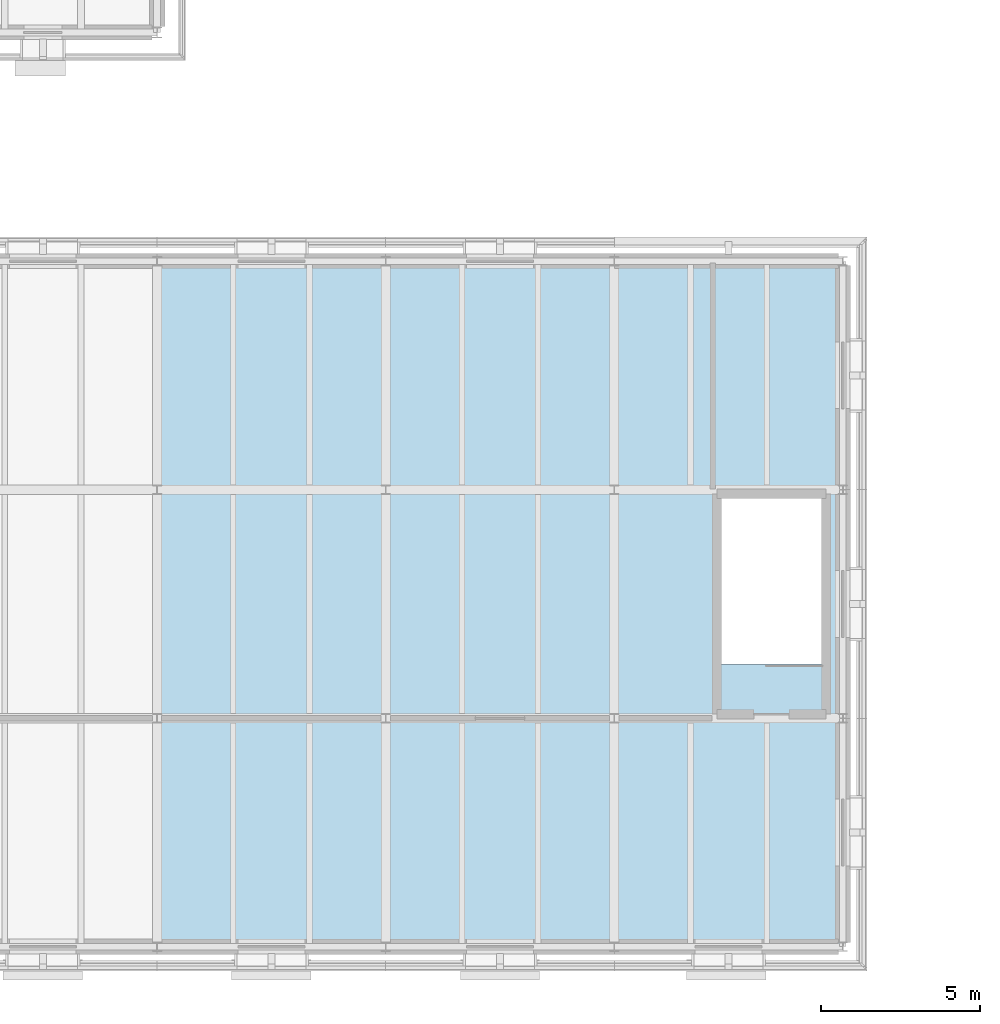
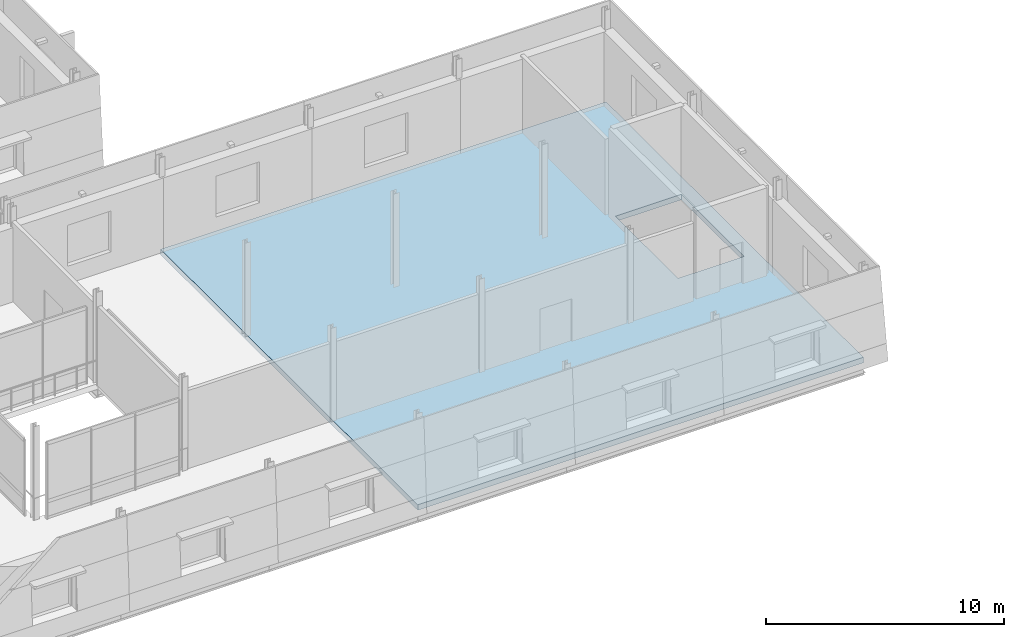
# One storey, part 52 of 121: 1 slab.
"""IFC4 building model written with IfcOpenShell, lengths in metres."""

import ifcopenshell
import ifcopenshell.guid

model = None  # the IFC model being written
_history = None  # IfcOwnerHistory: only IFC2X3 demands one
_inside = {}  # id of a spatial element -> (the spatial element, [elements in it])
_under = {}  # id of a project, library or spatial element -> (it, [spatial elements below it])
_declared = {}  # id of a project -> (the project, [libraries it declares])
_typed = {}  # id of a type object -> (the type object, [elements of that type])
_made_of = {}  # id of a material, layer set ... -> (it, [elements and type objects made of it])


def new_model(schema):
    """Start an empty IFC model of exactly this schema.

    Asked for "IFC4X3", IfcOpenShell would pick the latest addendum, in which some entities
    have other attributes; the version numbers below select the first issue.
    IFC2X3 requires an IfcOwnerHistory on every rooted entity: one is made here for all.
    """
    global model, _history
    if schema == "IFC4X3":
        model = ifcopenshell.file(schema_version=(4, 3, 0, 0))
    else:
        model = ifcopenshell.file(schema=schema)
    _inside.clear()
    _under.clear()
    _declared.clear()
    _typed.clear()
    _made_of.clear()
    _history = None
    if model.schema == "IFC2X3":
        org = make("IfcOrganization", Name="unknown")
        user = make(
            "IfcPersonAndOrganization",
            ThePerson=make("IfcPerson", FamilyName="unknown"),
            TheOrganization=org,
        )
        app = make(
            "IfcApplication",
            ApplicationDeveloper=org,
            Version="unknown",
            ApplicationFullName="unknown",
            ApplicationIdentifier="unknown",
        )
        _history = make(
            "IfcOwnerHistory",
            OwningUser=user,
            OwningApplication=app,
            ChangeAction="ADDED",
            CreationDate=0,
        )
    return model


def make(cls, **values):
    """One entity of the class cls with the attributes given. An attribute that is None is left unset."""
    return model.create_entity(
        cls, **{name: value for name, value in values.items() if value is not None}
    )


def rooted(cls, **values):
    """An entity with a GlobalId (a new one), such as an element, a storey or a relation."""
    return make(cls, GlobalId=ifcopenshell.guid.new(), OwnerHistory=_history, **values)


def si_unit(unit_type, name, prefix=None):
    """IfcSIUnit, for example si_unit("LENGTHUNIT", "METRE", prefix="MILLI")."""
    return make("IfcSIUnit", UnitType=unit_type, Prefix=prefix, Name=name)


def assignment(units):
    """IfcUnitAssignment: the units of a project."""
    return None if units is None else make("IfcUnitAssignment", Units=units)


def point(xyz):
    """IfcCartesianPoint."""
    return None if xyz is None else make("IfcCartesianPoint", Coordinates=xyz)


def direction(xyz):
    """IfcDirection."""
    return None if xyz is None else make("IfcDirection", DirectionRatios=xyz)


def frame(location, z_axis=None, x_axis=None):
    """IfcAxis2Placement3D, a coordinate frame: its origin and axes. An axis left out is left unset."""
    return make(
        "IfcAxis2Placement3D",
        Location=point(location),
        Axis=direction(z_axis),
        RefDirection=direction(x_axis),
    )


def origin():
    """The frame at (0, 0, 0) with its axes left unset."""
    return frame((0.0, 0.0, 0.0))


def place(relative_to, where):
    """IfcLocalPlacement: puts the frame where relative to a parent placement (None: the world)."""
    return make(
        "IfcLocalPlacement", PlacementRelTo=relative_to, RelativePlacement=where
    )


def context(
    kind, dimensions, precision=None, world=None, true_north=None, identifier=None
):
    """IfcGeometricRepresentationContext, for example the 3D "Model" context."""
    return make(
        "IfcGeometricRepresentationContext",
        ContextIdentifier=identifier,
        ContextType=kind,
        CoordinateSpaceDimension=dimensions,
        Precision=precision,
        WorldCoordinateSystem=world,
        TrueNorth=true_north,
    )


def subcontext(parent, identifier, kind, view, scale=None):
    """IfcGeometricRepresentationSubContext, for example "Body" below "Model"."""
    return make(
        "IfcGeometricRepresentationSubContext",
        ContextIdentifier=identifier,
        ContextType=kind,
        ParentContext=parent,
        TargetScale=scale,
        TargetView=view,
    )


def project(units=None, contexts=None):
    """IfcProject with its units and contexts."""
    return rooted(
        "IfcProject",
        Name="project",
        RepresentationContexts=contexts,
        UnitsInContext=assignment(units),
    )


def spatial(cls, under=None, at=None, **own):
    """A site, building, storey or space (cls), placed at a placement, below another one or the project."""
    s = rooted(cls, ObjectPlacement=at, **own)
    if under is not None:
        _under.setdefault(under.id(), (under, []))[1].append(s)
    return s


def polyline(points):
    """IfcPolyline through the points."""
    return make("IfcPolyline", Points=[point(p) for p in points])


def outline(outer, holes=None, kind="AREA"):
    """IfcArbitraryClosedProfileDef: a profile drawn as a closed curve; with holes, ...WithVoids."""
    if holes is None:
        return make("IfcArbitraryClosedProfileDef", ProfileType=kind, OuterCurve=outer)
    return make(
        "IfcArbitraryProfileDefWithVoids",
        ProfileType=kind,
        OuterCurve=outer,
        InnerCurves=holes,
    )


def extrude(swept, where, along, depth):
    """IfcExtrudedAreaSolid: the profile swept, set in the frame where, extruded along a direction by depth."""
    return make(
        "IfcExtrudedAreaSolid",
        SweptArea=swept,
        Position=where,
        ExtrudedDirection=direction(along),
        Depth=depth,
    )


def shape(context_of_items, identifier, shape_type, items):
    """IfcShapeRepresentation: the items that make up one representation, for example the "Body"."""
    return make(
        "IfcShapeRepresentation",
        ContextOfItems=context_of_items,
        RepresentationIdentifier=identifier,
        RepresentationType=shape_type,
        Items=items,
    )


def material(Name=None, Category=None):
    """IfcMaterial."""
    return make("IfcMaterial", Name=Name, Category=Category)


def layer(
    of_material, thickness, ventilated=None, Name=None, Category=None, Priority=None
):
    """IfcMaterialLayer: one layer of a wall or slab, of a material (None: an air gap)."""
    return make(
        "IfcMaterialLayer",
        Material=of_material,
        LayerThickness=thickness,
        IsVentilated=ventilated,
        Name=Name,
        Category=Category,
        Priority=Priority,
    )


def layer_set(layers, Name=None):
    """IfcMaterialLayerSet."""
    return make("IfcMaterialLayerSet", MaterialLayers=layers, LayerSetName=Name)


def made_of(thing, what):
    """Note that an element or type object is made of a material, layer set ...; save() writes the relation."""
    if what is not None:
        _made_of.setdefault(what.id(), (what, []))[1].append(thing)
    return thing


def type_object(cls, material=None, **own):
    """A type object (cls), such as IfcWallType, which elements share."""
    return made_of(rooted(cls, **own), material)


def element(
    cls,
    number,
    at=None,
    inside=None,
    cuts=None,
    type_object=None,
    material=None,
    context=None,
    identifier="Body",
    shape_type=None,
    held_by="IfcProductDefinitionShape",
    body=None,
    shapes=None,
    **own,
):
    """One element of the class cls, such as IfcWall. Its Tag is "e" and its number.

    at: its placement. inside: the storey or other place that contains it. cuts: it is an
    opening in that element (IfcRelVoidsElement). A single representation is given by context,
    identifier, shape_type and body (its items); several are given by shapes. held_by: the class
    of the entity that holds the representations. save() writes the other relations.
    """
    e = rooted(cls, Tag="e%d" % number, ObjectPlacement=at, **own)
    if body is not None:
        shapes = [shape(context, identifier, shape_type, body)]
    if shapes is not None:
        e.Representation = make(held_by, Representations=shapes)
    if inside is not None:
        _inside.setdefault(inside.id(), (inside, []))[1].append(e)
    if cuts is not None:
        rooted(
            "IfcRelVoidsElement", RelatingBuildingElement=cuts, RelatedOpeningElement=e
        )
    if type_object is not None:
        _typed.setdefault(type_object.id(), (type_object, []))[1].append(e)
    return made_of(e, material)


def aggregate(whole, parts):
    """IfcRelAggregates: a whole, such as a stair, and the parts it consists of."""
    return rooted("IfcRelAggregates", RelatingObject=whole, RelatedObjects=parts)


def save(model, path):
    """Write the relations noted so far, then the file.

    IfcRelAggregates (storeys below a building ...), IfcRelContainedInSpatialStructure (elements
    in a storey), IfcRelDefinesByType, IfcRelAssociatesMaterial and IfcRelDeclares: one each for
    every whole, place, type object, material and project.
    """
    for whole, parts in _under.values():
        aggregate(whole, parts)
    for where, things in _inside.values():
        rooted(
            "IfcRelContainedInSpatialStructure",
            RelatedElements=things,
            RelatingStructure=where,
        )
    for kind, things in _typed.values():
        rooted("IfcRelDefinesByType", RelatedObjects=things, RelatingType=kind)
    for what, things in _made_of.values():
        rooted("IfcRelAssociatesMaterial", RelatedObjects=things, RelatingMaterial=what)
    for by, libraries in _declared.values():
        rooted("IfcRelDeclares", RelatingContext=by, RelatedDefinitions=libraries)
    model.write(path)


model = new_model("IFC4")

# Units and contexts
model_context = context("Model", 3, precision=1e-05, world=origin(), true_north=direction((0.0, 1.0)))
body_context = subcontext(model_context, "Body", "Model", "MODEL_VIEW")
ifc_project = project(units=[si_unit("LENGTHUNIT", "METRE"), si_unit("AREAUNIT", "SQUARE_METRE"), si_unit("VOLUMEUNIT", "CUBIC_METRE"), si_unit("PLANEANGLEUNIT", "RADIAN"), si_unit("MASSUNIT", "GRAM", prefix="KILO")], contexts=[model_context])

# Site, building, storey
site_placement = place(None, origin())
site = spatial("IfcSite", under=ifc_project, at=site_placement, CompositionType="ELEMENT")
building_placement = place(site_placement, origin())
building = spatial("IfcBuilding", under=site, at=building_placement, Name="Narikvali Park Central Library", CompositionType="ELEMENT")
storey_placement = place(building_placement, frame((0.0, 0.0, 5.39990234375)))
storey = spatial("IfcBuildingStorey", under=building, at=storey_placement, Name="L01", CompositionType="ELEMENT", Elevation=5.39990234375)

# Slab
ifc_material = material(Name="Concrete C35/45", Category="concrete")
ifc_layer = layer(ifc_material, 0.280029296875, Name="Concrete C35/45")
ifc_layer_set = layer_set([ifc_layer], Name="Concrete C35/45")
slab_type = type_object("IfcSlabType", Name="Composite Reading Floor Slab 280", PredefinedType="FLOOR", material=ifc_layer_set)
slab_placement = place(storey_placement, frame((0.0, 0.0, -0.27978515625)))
element("IfcSlab", 1, at=slab_placement, inside=storey, type_object=slab_type, Name="V2 L01 Structural Slab Panel 2", PredefinedType="FLOOR", context=body_context, shape_type="SweptSolid", body=[
    extrude(outline(polyline([(21.60009765625, 0.0), (43.199951171875, 0.0), (43.199951171875, 21.60009765625), (21.60009765625, 21.60009765625), (21.60009765625, 0.0)]), holes=[polyline([(39.35009765625, 8.89990234375), (42.550048828125, 8.89990234375), (42.550048828125, 14.14990234375), (39.35009765625, 14.14990234375), (39.35009765625, 8.89990234375)])]), origin(), (0.0, 0.0, 1.0), 0.27978515625),
])

save(model, "model.ifc")
